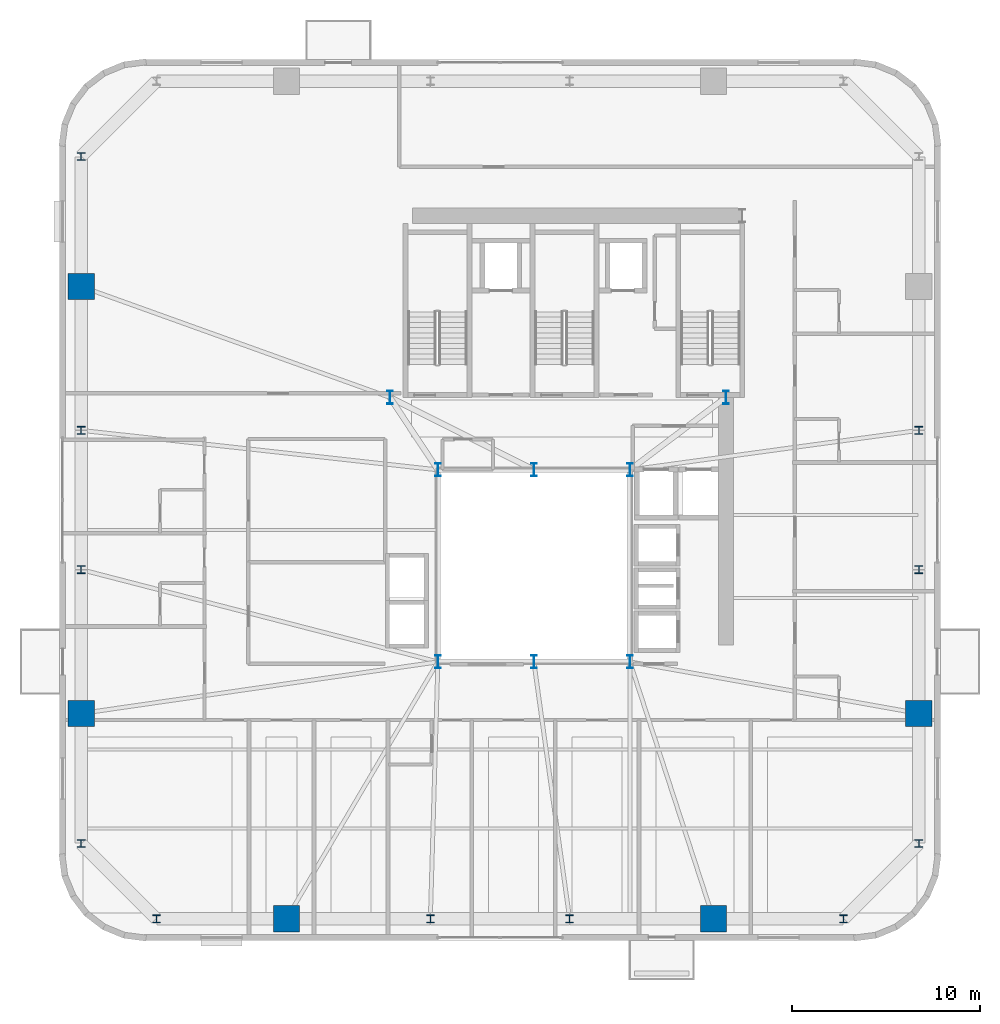
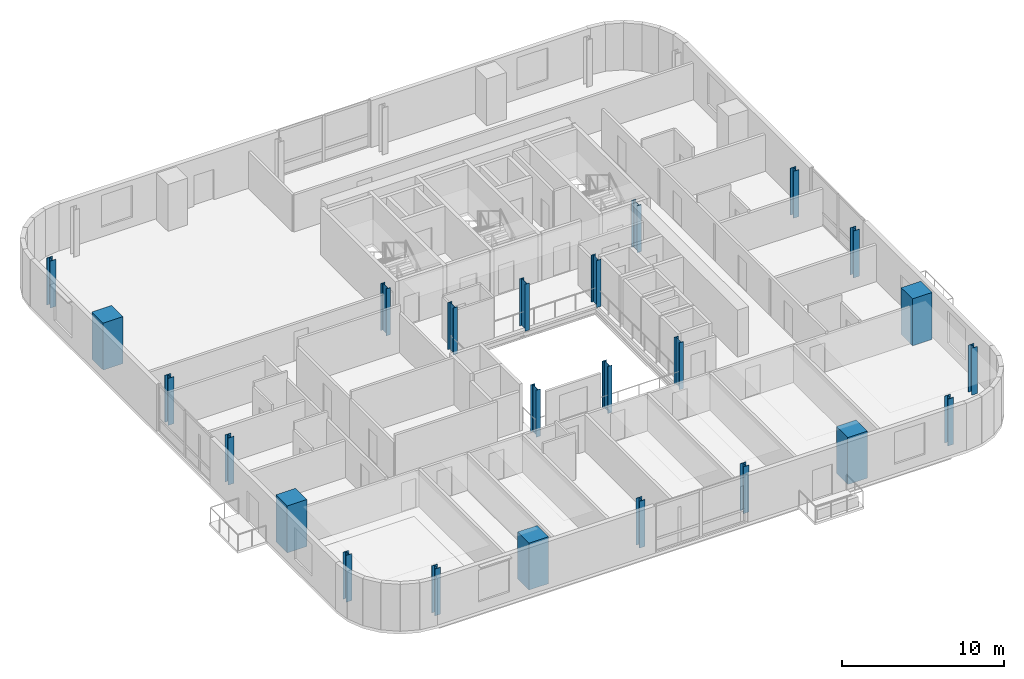
# One storey, part 1 of 12: 24 columns.
"""IFC4 building model written with IfcOpenShell, lengths in metres."""

from ifc_helpers import new_model, si_unit, direction, frame, origin, origin_2d, place, context, subcontext, project, spatial, rectangle, i_section, extrude, source, transform, mapped, material, material_profile, profile_set, type_object, element, save


model = new_model("IFC4")

# Units and contexts
model_context = context("Model", 3, precision=1e-05, world=origin(), true_north=direction((0.0, 1.0)))
body_context = subcontext(model_context, "Body", "Model", "MODEL_VIEW")
ifc_project = project(units=[si_unit("LENGTHUNIT", "METRE"), si_unit("AREAUNIT", "SQUARE_METRE"), si_unit("VOLUMEUNIT", "CUBIC_METRE"), si_unit("PLANEANGLEUNIT", "RADIAN"), si_unit("MASSUNIT", "GRAM", prefix="KILO")], contexts=[model_context])

# Site, building, storey
site_placement = place(None, origin())
site = spatial("IfcSite", under=ifc_project, at=site_placement, CompositionType="ELEMENT")
building_placement = place(site_placement, origin())
building = spatial("IfcBuilding", under=site, at=building_placement, Name="Vardaveli Station Tower", CompositionType="ELEMENT")
storey_placement = place(building_placement, frame((0.0, 0.0, 214.800048828125)))
storey = spatial("IfcBuildingStorey", under=building, at=storey_placement, Name="L55", CompositionType="ELEMENT", Elevation=214.800048828125)

# Columns
ifc_material_1 = material(Name="Structural steel S460M", Category="steel")
ifc_material_profile_1 = material_profile(ifc_material_1, i_section(OverallWidth=0.300048828125, OverallDepth=0.699951171875, WebThickness=0.01708984375, FlangeThickness=0.031982421875, FilletRadius=0.027099609375, at=origin_2d()), Name="HEB 700")
ifc_profile_set_1 = profile_set([ifc_material_profile_1], Name="Structural steel S460M")
column_type_1 = type_object("IfcColumnType", Name="COL-HEB700", PredefinedType="COLUMN", material=ifc_profile_set_1)
shared_shape_1 = source(origin(), body_context, "Body", "SweptSolid", [
    extrude(i_section(OverallWidth=0.300048828125, OverallDepth=0.699951171875, WebThickness=0.01708984375, FlangeThickness=0.031982421875, FilletRadius=0.027099609375, at=origin_2d()), origin(), (0.0, 0.0, 1.0), 3.530029296875),
])
for number, where, z_axis, x_axis, name in (
    (1, (31.199951171875, 16.60009765625, 0.0), (0.0, 0.0, 1.0), (1.0, 0.0, 0.0), "COL-L55-AC1"),
    (2, (36.300048828125, 16.60009765625, 0.0), (0.0, 0.0, 1.0), (1.0, 0.0, 0.0), "COL-L55-AC2"),
    (3, (41.39990234375, 16.60009765625, 0.0), (0.0, 0.0, 1.0), (1.0, 0.0, 0.0), "COL-L55-AC3"),
    (4, (41.39990234375, 26.800048828125, 0.0), (0.0, 0.0, 1.0), (1.0, 0.0, 0.0), "COL-L55-AC4"),
    (5, (36.300048828125, 26.800048828125, 0.0), (0.0, 0.0, 1.0), (1.0, 0.0, 0.0), "COL-L55-AC5"),
    (6, (31.199951171875, 26.800048828125, 0.0), (0.0, 0.0, 1.0), (1.0, 0.0, 0.0), "COL-L55-AC6"),
    (7, (28.64990234375, 30.64990234375, 0.0), (0.0, 0.0, 1.0), (1.0, 0.0, 0.0), "COL-L55-CC1"),
    (8, (46.5, 30.64990234375, 0.0), (0.0, 0.0, 1.0), (1.0, 0.0, 0.0), "COL-L55-CC2"),
):
    element("IfcColumn", number, at=place(storey_placement, frame(where, z_axis=z_axis, x_axis=x_axis)), inside=storey, type_object=column_type_1, Name=name, PredefinedType="COLUMN", context=body_context, shape_type="MappedRepresentation", body=[
        mapped(shared_shape_1, transform((0.0, 0.0, 0.0), scale=1.0)),
    ])
ifc_material_2 = material(Name="Concrete C50/60", Category="concrete")
ifc_material_profile_2 = material_profile(ifc_material_2, rectangle(XDim=1.39990234375, YDim=1.39990234375, at=origin_2d()), Name="MC 1400x1400")
ifc_profile_set_2 = profile_set([ifc_material_profile_2], Name="Concrete C50/60")
column_type_2 = type_object("IfcColumnType", Name="COL-MC-1400", PredefinedType="COLUMN", material=ifc_profile_set_2)
shared_shape_2 = source(origin(), body_context, "Body", "SweptSolid", [
    extrude(rectangle(XDim=1.39990234375, YDim=1.39990234375, at=origin_2d()), origin(), (0.0, 0.0, 1.0), 3.530029296875),
])
for number, where, z_axis, x_axis, name in (
    (9, (23.159912109375, 2.949951171875, 0.0), (0.0, 0.0, 1.0), (1.0, 0.0, 0.0), "COL-L55-MC1"),
    (10, (45.840087890625, 2.949951171875, 0.0), (0.0, 0.0, 1.0), (1.0, 0.0, 0.0), "COL-L55-MC2"),
    (11, (56.75, 13.860107421875, 0.0), (0.0, 0.0, 1.0), (1.0, 0.0, 0.0), "COL-L55-MC3"),
    (12, (12.25, 36.5400390625, 0.0), (0.0, 0.0, 1.0), (1.0, 0.0, 0.0), "COL-L55-MC7"),
    (13, (12.25, 13.860107421875, 0.0), (0.0, 0.0, 1.0), (1.0, 0.0, 0.0), "COL-L55-MC8"),
):
    element("IfcColumn", number, at=place(storey_placement, frame(where, z_axis=z_axis, x_axis=x_axis)), inside=storey, type_object=column_type_2, Name=name, PredefinedType="COLUMN", context=body_context, shape_type="MappedRepresentation", body=[
        mapped(shared_shape_2, transform((0.0, 0.0, 0.0), scale=1.0)),
    ])
ifc_material_profile_3 = material_profile(ifc_material_1, i_section(OverallWidth=0.408935546875, OverallDepth=0.4169921875, WebThickness=0.021240234375, FlangeThickness=0.033203125, FilletRadius=0.014892578125, at=origin_2d()), Name="HD 400x347")
ifc_profile_set_3 = profile_set([ifc_material_profile_3], Name="Structural steel S460M")
column_type_3 = type_object("IfcColumnType", Name="COL-HD347", PredefinedType="COLUMN", material=ifc_profile_set_3)
shared_shape_3 = source(origin(), body_context, "Body", "SweptSolid", [
    extrude(i_section(OverallWidth=0.408935546875, OverallDepth=0.4169921875, WebThickness=0.021240234375, FlangeThickness=0.033203125, FilletRadius=0.014892578125, at=origin_2d()), origin(), (0.0, 0.0, 1.0), 3.530029296875),
])
for number, where, z_axis, x_axis, name in (
    (14, (16.25, 2.949951171875, 0.0), (0.0, 0.0, 1.0), (1.0, 0.0, 0.0), "COL-L55-PC01"),
    (15, (30.800048828125, 2.949951171875, 0.0), (0.0, 0.0, 1.0), (1.0, 0.0, 0.0), "COL-L55-PC02"),
    (16, (38.199951171875, 2.949951171875, 0.0), (0.0, 0.0, 1.0), (1.0, 0.0, 0.0), "COL-L55-PC03"),
    (17, (52.75, 2.949951171875, 0.0), (0.0, 0.0, 1.0), (1.0, 0.0, 0.0), "COL-L55-PC04"),
    (18, (56.75, 6.949951171875, 0.0), (0.0, 0.0, 1.0), (1.0, 0.0, 0.0), "COL-L55-PC05"),
    (19, (56.75, 21.5, 0.0), (0.0, 0.0, 1.0), (1.0, 0.0, 0.0), "COL-L55-PC06"),
    (20, (56.75, 28.89990234375, 0.0), (0.0, 0.0, 1.0), (1.0, 0.0, 0.0), "COL-L55-PC07"),
    (21, (12.25, 43.449951171875, 0.0), (0.0, 0.0, 1.0), (1.0, 0.0, 0.0), "COL-L55-PC13"),
    (22, (12.25, 28.89990234375, 0.0), (0.0, 0.0, 1.0), (1.0, 0.0, 0.0), "COL-L55-PC14"),
    (23, (12.25, 21.5, 0.0), (0.0, 0.0, 1.0), (1.0, 0.0, 0.0), "COL-L55-PC15"),
    (24, (12.25, 6.949951171875, 0.0), (0.0, 0.0, 1.0), (1.0, 0.0, 0.0), "COL-L55-PC16"),
):
    element("IfcColumn", number, at=place(storey_placement, frame(where, z_axis=z_axis, x_axis=x_axis)), inside=storey, type_object=column_type_3, Name=name, PredefinedType="COLUMN", context=body_context, shape_type="MappedRepresentation", body=[
        mapped(shared_shape_3, transform((0.0, 0.0, 0.0), scale=1.0)),
    ])

save(model, "model.ifc")
